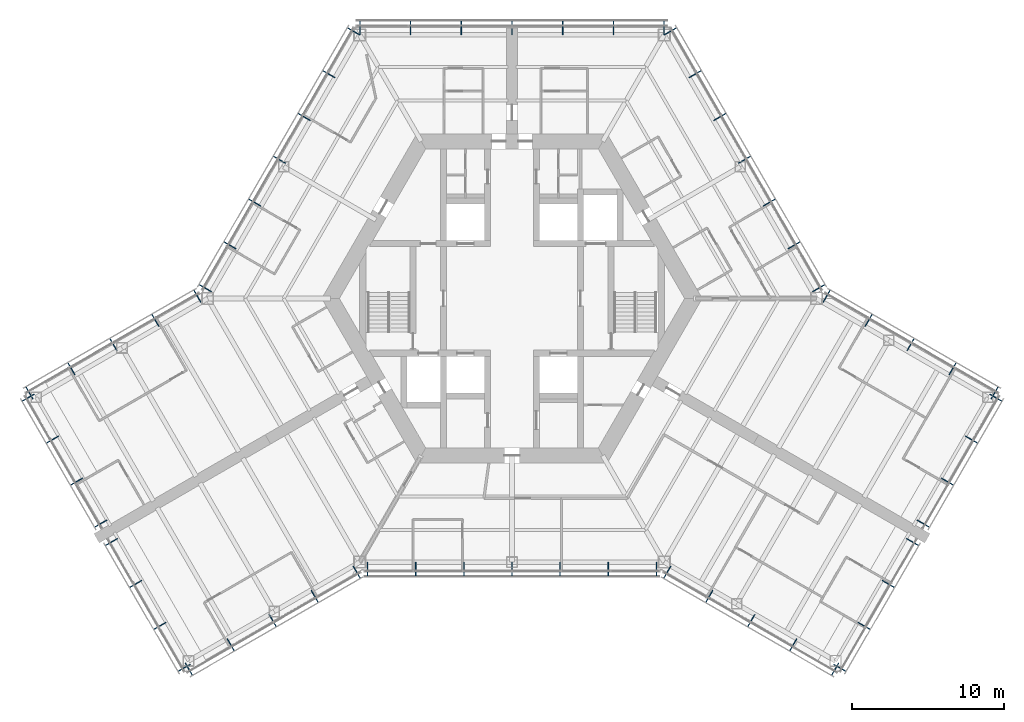
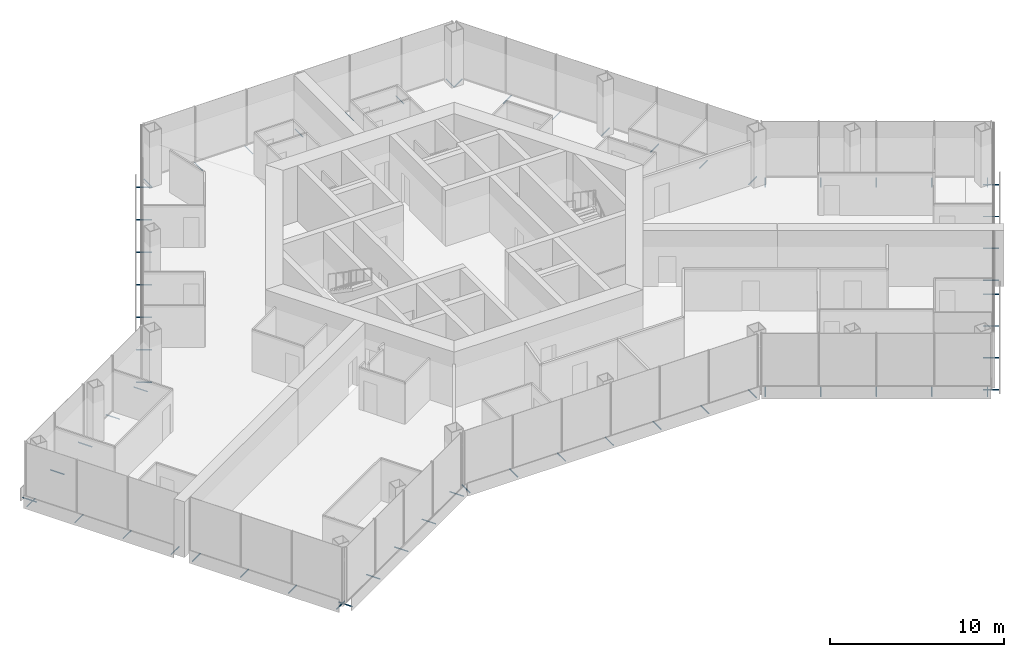
# One storey, part 16 of 18: 64 discrete accessories.
"""IFC4 building model written with IfcOpenShell, lengths in metres."""

from ifc_helpers import new_model, si_unit, direction, frame, origin, origin_2d, place, context, subcontext, project, spatial, hollow_circle, extrude, material, material_profile, profile_set, type_object, element, save


model = new_model("IFC4")

# Units and contexts
model_context = context("Model", 3, precision=1e-05, world=origin(), true_north=direction((0.0, 1.0)))
body_context = subcontext(model_context, "Body", "Model", "MODEL_VIEW")
ifc_project = project(units=[si_unit("LENGTHUNIT", "METRE"), si_unit("AREAUNIT", "SQUARE_METRE"), si_unit("VOLUMEUNIT", "CUBIC_METRE"), si_unit("PLANEANGLEUNIT", "RADIAN"), si_unit("MASSUNIT", "GRAM", prefix="KILO")], contexts=[model_context])

# Site, building, storey
site_placement = place(None, origin())
site = spatial("IfcSite", under=ifc_project, at=site_placement, CompositionType="ELEMENT")
building_placement = place(site_placement, origin())
building = spatial("IfcBuilding", under=site, at=building_placement, Name="Kasaneha Research Tower", CompositionType="ELEMENT")
storey_placement = place(building_placement, frame((0.0, 0.0, 168.199951171875)))
storey = spatial("IfcBuildingStorey", under=building, at=storey_placement, Name="L42", CompositionType="ELEMENT", Elevation=168.199951171875)

# Discrete accessories
ifc_material = material(Name="Steel STK400", Category="steel")
ifc_material_profile = material_profile(ifc_material, hollow_circle(Radius=0.0380859375, WallThickness=0.00390625, at=origin_2d()), Name="CHS-76.3x4.0")
ifc_profile_set = profile_set([ifc_material_profile], Name="Steel STK400")
discrete_accessory_type = type_object("IfcDiscreteAccessoryType", Name="Screen bracket CHS-76.3x4.0", PredefinedType="BRACKET", material=ifc_profile_set)
for number, where, z_axis, x_axis, name in (
    (1, (-9.4892578125, -17.320556640625, -0.300048828125), (0.0, -1.0, 0.0), (1.0, 0.0, 0.0), "Screen bracket 1"),
    (2, (-6.326171875, -17.320556640625, -0.300048828125), (0.0, -1.0, 0.0), (1.0, 0.0, 0.0), "Screen bracket 2"),
    (3, (-3.1630859375, -17.320556640625, -0.300048828125), (0.0, -1.0, 0.0), (1.0, 0.0, 0.0), "Screen bracket 3"),
    (4, (0.0, -17.320556640625, -0.300048828125), (0.0, -1.0, 0.0), (1.0, 0.0, 0.0), "Screen bracket 4"),
    (5, (3.1630859375, -17.320556640625, -0.300048828125), (0.0, -1.0, 0.0), (1.0, 0.0, 0.0), "Screen bracket 5"),
    (6, (6.326171875, -17.320556640625, -0.300048828125), (0.0, -1.0, 0.0), (1.0, 0.0, 0.0), "Screen bracket 6"),
    (7, (9.4892578125, -17.320556640625, -0.300048828125), (0.0, -1.0, 0.0), (1.0, 0.0, 0.0), "Screen bracket 7"),
    (8, (10.4423828125, -17.575927734375, -0.300048828125), (-0.500021113727, -0.866013213425, 0.0), (0.866013213425, -0.500021113727, 0.0), "Screen bracket 1"),
):
    element("IfcDiscreteAccessory", number, at=place(storey_placement, frame(where, z_axis=z_axis, x_axis=x_axis)), inside=storey, type_object=discrete_accessory_type, Name=name, PredefinedType="BRACKET", context=body_context, shape_type="SweptSolid", body=[
        extrude(hollow_circle(Radius=0.0380859375, WallThickness=0.00390625, at=origin_2d()), origin(), (0.0, 0.0, 1.0), 0.919921875),
    ])
discrete_accessory_1_placement = place(storey_placement, frame((13.200439453125, -19.168212890625, -0.300048828125), z_axis=(-0.499906209203, -0.866079547155, 0.0), x_axis=(0.866079547155, -0.499906209203, 0.0)))
element("IfcDiscreteAccessory", 9, at=discrete_accessory_1_placement, inside=storey, type_object=discrete_accessory_type, Name="Screen bracket 2", PredefinedType="BRACKET", context=body_context, shape_type="SweptSolid", body=[
    extrude(hollow_circle(Radius=0.0380859375, WallThickness=0.00390625, at=origin_2d()), origin(), (0.0, 0.0, 1.0), 0.920166015625),
])
discrete_accessory_2_placement = place(storey_placement, frame((15.95849609375, -20.7607421875, -0.300048828125), z_axis=(-0.500021113727, -0.866013213425, 0.0), x_axis=(0.866013213425, -0.500021113727, 0.0)))
element("IfcDiscreteAccessory", 10, at=discrete_accessory_2_placement, inside=storey, type_object=discrete_accessory_type, Name="Screen bracket 3", PredefinedType="BRACKET", context=body_context, shape_type="SweptSolid", body=[
    extrude(hollow_circle(Radius=0.0380859375, WallThickness=0.00390625, at=origin_2d()), origin(), (0.0, 0.0, 1.0), 0.919921875),
])
discrete_accessory_3_placement = place(storey_placement, frame((18.716796875, -22.35302734375, -0.300048828125), z_axis=(-0.500105201737, -0.865964657013, 0.0), x_axis=(0.865964657013, -0.500105201737, 0.0)))
element("IfcDiscreteAccessory", 11, at=discrete_accessory_3_placement, inside=storey, type_object=discrete_accessory_type, Name="Screen bracket 4", PredefinedType="BRACKET", context=body_context, shape_type="SweptSolid", body=[
    extrude(hollow_circle(Radius=0.0380859375, WallThickness=0.00390625, at=origin_2d()), origin(), (0.0, 0.0, 1.0), 0.920166015625),
])
discrete_accessory_4_placement = place(storey_placement, frame((21.474853515625, -23.945556640625, -0.300048828125), z_axis=(-0.500021113727, -0.866013213425, 0.0), x_axis=(0.866013213425, -0.500021113727, 0.0)))
element("IfcDiscreteAccessory", 12, at=discrete_accessory_4_placement, inside=storey, type_object=discrete_accessory_type, Name="Screen bracket 5", PredefinedType="BRACKET", context=body_context, shape_type="SweptSolid", body=[
    extrude(hollow_circle(Radius=0.0380859375, WallThickness=0.00390625, at=origin_2d()), origin(), (0.0, 0.0, 1.0), 0.919921875),
])
discrete_accessory_5_placement = place(storey_placement, frame((21.13330078125, -24.037109375, -0.300048828125), z_axis=(0.866079547155, -0.499906209203, 0.0), x_axis=(0.499906209203, 0.866079547155, 0.0)))
element("IfcDiscreteAccessory", 13, at=discrete_accessory_5_placement, inside=storey, type_object=discrete_accessory_type, Name="Screen bracket 1", PredefinedType="BRACKET", context=body_context, shape_type="SweptSolid", body=[
    extrude(hollow_circle(Radius=0.0380859375, WallThickness=0.00390625, at=origin_2d()), origin(), (0.0, 0.0, 1.0), 0.920166015625),
])
discrete_accessory_6_placement = place(storey_placement, frame((22.72509765625, -21.2802734375, -0.300048828125), z_axis=(0.866013213425, -0.500021113727, 0.0), x_axis=(0.500021113727, 0.866013213425, 0.0)))
element("IfcDiscreteAccessory", 14, at=discrete_accessory_6_placement, inside=storey, type_object=discrete_accessory_type, Name="Screen bracket 2", PredefinedType="BRACKET", context=body_context, shape_type="SweptSolid", body=[
    extrude(hollow_circle(Radius=0.0380859375, WallThickness=0.00390625, at=origin_2d()), origin(), (0.0, 0.0, 1.0), 0.919921875),
])
discrete_accessory_7_placement = place(storey_placement, frame((24.316650390625, -18.5234375, -0.300048828125), z_axis=(0.866079547155, -0.499906209203, 0.0), x_axis=(0.499906209203, 0.866079547155, 0.0)))
element("IfcDiscreteAccessory", 15, at=discrete_accessory_7_placement, inside=storey, type_object=discrete_accessory_type, Name="Screen bracket 3", PredefinedType="BRACKET", context=body_context, shape_type="SweptSolid", body=[
    extrude(hollow_circle(Radius=0.0380859375, WallThickness=0.00390625, at=origin_2d()), origin(), (0.0, 0.0, 1.0), 0.920166015625),
])
for number, where, z_axis, x_axis, name in (
    (16, (25.908447265625, -15.766357421875, -0.300048828125), (0.865898279276, -0.500220121494, 0.0), (0.500220121494, 0.865898279276, 0.0), "Screen bracket 4"),
    (17, (26.6083984375, -14.553955078125, -0.300048828125), (0.866013213425, -0.500021113727, 0.0), (0.500021113727, 0.866013213425, 0.0), "Screen bracket 1"),
):
    element("IfcDiscreteAccessory", number, at=place(storey_placement, frame(where, z_axis=z_axis, x_axis=x_axis)), inside=storey, type_object=discrete_accessory_type, Name=name, PredefinedType="BRACKET", context=body_context, shape_type="SweptSolid", body=[
        extrude(hollow_circle(Radius=0.0380859375, WallThickness=0.00390625, at=origin_2d()), origin(), (0.0, 0.0, 1.0), 0.919921875),
    ])
discrete_accessory_8_placement = place(storey_placement, frame((28.199951171875, -11.797119140625, -0.300048828125), z_axis=(0.866079547155, -0.499906209203, 0.0), x_axis=(0.499906209203, 0.866079547155, 0.0)))
element("IfcDiscreteAccessory", 18, at=discrete_accessory_8_placement, inside=storey, type_object=discrete_accessory_type, Name="Screen bracket 2", PredefinedType="BRACKET", context=body_context, shape_type="SweptSolid", body=[
    extrude(hollow_circle(Radius=0.0380859375, WallThickness=0.00390625, at=origin_2d()), origin(), (0.0, 0.0, 1.0), 0.920166015625),
])
discrete_accessory_9_placement = place(storey_placement, frame((29.791748046875, -9.040283203125, -0.300048828125), z_axis=(0.866013213425, -0.500021113727, 0.0), x_axis=(0.500021113727, 0.866013213425, 0.0)))
element("IfcDiscreteAccessory", 19, at=discrete_accessory_9_placement, inside=storey, type_object=discrete_accessory_type, Name="Screen bracket 3", PredefinedType="BRACKET", context=body_context, shape_type="SweptSolid", body=[
    extrude(hollow_circle(Radius=0.0380859375, WallThickness=0.00390625, at=origin_2d()), origin(), (0.0, 0.0, 1.0), 0.919921875),
])
discrete_accessory_10_placement = place(storey_placement, frame((31.38330078125, -6.283447265625, -0.300048828125), z_axis=(0.866079547155, -0.499906209203, 0.0), x_axis=(0.499906209203, 0.866079547155, 0.0)))
element("IfcDiscreteAccessory", 20, at=discrete_accessory_10_placement, inside=storey, type_object=discrete_accessory_type, Name="Screen bracket 4", PredefinedType="BRACKET", context=body_context, shape_type="SweptSolid", body=[
    extrude(hollow_circle(Radius=0.0380859375, WallThickness=0.00390625, at=origin_2d()), origin(), (0.0, 0.0, 1.0), 0.920166015625),
])
discrete_accessory_11_placement = place(storey_placement, frame((31.474853515625, -6.625, -0.300048828125), z_axis=(0.500021113727, 0.866013213425, 0.0), x_axis=(-0.866013213425, 0.500021113727, 0.0)))
element("IfcDiscreteAccessory", 21, at=discrete_accessory_11_placement, inside=storey, type_object=discrete_accessory_type, Name="Screen bracket 1", PredefinedType="BRACKET", context=body_context, shape_type="SweptSolid", body=[
    extrude(hollow_circle(Radius=0.0380859375, WallThickness=0.00390625, at=origin_2d()), origin(), (0.0, 0.0, 1.0), 0.919921875),
])
discrete_accessory_12_placement = place(storey_placement, frame((28.716796875, -5.03271484375, -0.300048828125), z_axis=(0.499906209203, 0.866079547155, 0.0), x_axis=(-0.866079547155, 0.499906209203, 0.0)))
element("IfcDiscreteAccessory", 22, at=discrete_accessory_12_placement, inside=storey, type_object=discrete_accessory_type, Name="Screen bracket 2", PredefinedType="BRACKET", context=body_context, shape_type="SweptSolid", body=[
    extrude(hollow_circle(Radius=0.0380859375, WallThickness=0.00390625, at=origin_2d()), origin(), (0.0, 0.0, 1.0), 0.920166015625),
])
discrete_accessory_13_placement = place(storey_placement, frame((25.95849609375, -3.440185546875, -0.300048828125), z_axis=(0.500220121494, 0.865898279276, 0.0), x_axis=(-0.865898279276, 0.500220121494, 0.0)))
element("IfcDiscreteAccessory", 23, at=discrete_accessory_13_placement, inside=storey, type_object=discrete_accessory_type, Name="Screen bracket 3", PredefinedType="BRACKET", context=body_context, shape_type="SweptSolid", body=[
    extrude(hollow_circle(Radius=0.0380859375, WallThickness=0.00390625, at=origin_2d()), origin(), (0.0, 0.0, 1.0), 0.919921875),
])
discrete_accessory_14_placement = place(storey_placement, frame((23.200439453125, -1.847900390625, -0.300048828125), z_axis=(0.499906209203, 0.866079547155, 0.0), x_axis=(-0.866079547155, 0.499906209203, 0.0)))
element("IfcDiscreteAccessory", 24, at=discrete_accessory_14_placement, inside=storey, type_object=discrete_accessory_type, Name="Screen bracket 4", PredefinedType="BRACKET", context=body_context, shape_type="SweptSolid", body=[
    extrude(hollow_circle(Radius=0.0380859375, WallThickness=0.00390625, at=origin_2d()), origin(), (0.0, 0.0, 1.0), 0.920166015625),
])
for number, where, z_axis, x_axis, name in (
    (25, (20.4423828125, -0.25537109375, -0.300048828125), (0.500021113727, 0.866013213425, 0.0), (-0.866013213425, 0.500021113727, 0.0), "Screen bracket 5"),
    (26, (19.74462890625, 0.4423828125, -0.300048828125), (0.866013213425, 0.500021113727, 0.0), (-0.500021113727, 0.866013213425, 0.0), "Screen bracket 1"),
    (27, (18.120849609375, 3.2548828125, -0.300048828125), (0.866013213425, 0.500021113727, 0.0), (-0.500021113727, 0.866013213425, 0.0), "Screen bracket 2"),
    (28, (16.4970703125, 6.0673828125, -0.300048828125), (0.866013213425, 0.500021113727, 0.0), (-0.500021113727, 0.866013213425, 0.0), "Screen bracket 3"),
    (29, (14.873291015625, 8.8798828125, -0.300048828125), (0.866013213425, 0.500021113727, 0.0), (-0.500021113727, 0.866013213425, 0.0), "Screen bracket 4"),
    (30, (13.24951171875, 11.6923828125, -0.300048828125), (0.866013213425, 0.500021113727, 0.0), (-0.500021113727, 0.866013213425, 0.0), "Screen bracket 5"),
):
    element("IfcDiscreteAccessory", number, at=place(storey_placement, frame(where, z_axis=z_axis, x_axis=x_axis)), inside=storey, type_object=discrete_accessory_type, Name=name, PredefinedType="BRACKET", context=body_context, shape_type="SweptSolid", body=[
        extrude(hollow_circle(Radius=0.0380859375, WallThickness=0.00390625, at=origin_2d()), origin(), (0.0, 0.0, 1.0), 0.919921875),
    ])
for number, where, z_axis, x_axis, name in (
    (31, (11.62548828125, 14.5048828125, -0.300048828125), (0.866079547155, 0.499906209203, 0.0), (-0.499906209203, 0.866079547155, 0.0), "Screen bracket 6"),
    (32, (10.001708984375, 17.3173828125, -0.300048828125), (0.866079547155, 0.499906209203, 0.0), (-0.499906209203, 0.866079547155, 0.0), "Screen bracket 7"),
):
    element("IfcDiscreteAccessory", number, at=place(storey_placement, frame(where, z_axis=z_axis, x_axis=x_axis)), inside=storey, type_object=discrete_accessory_type, Name=name, PredefinedType="BRACKET", context=body_context, shape_type="SweptSolid", body=[
        extrude(hollow_circle(Radius=0.0380859375, WallThickness=0.00390625, at=origin_2d()), origin(), (0.0, 0.0, 1.0), 0.920166015625),
    ])
for number, where, z_axis, x_axis, name in (
    (33, (9.996337890625, 17.320556640625, -0.300048828125), (0.0, 1.0, 0.0), (-1.0, 0.0, 0.0), "Screen bracket 1"),
    (34, (6.664306640625, 17.320556640625, -0.300048828125), (0.0, 1.0, 0.0), (-1.0, 0.0, 0.0), "Screen bracket 2"),
    (35, (3.33203125, 17.320556640625, -0.300048828125), (0.0, 1.0, 0.0), (-1.0, 0.0, 0.0), "Screen bracket 3"),
    (36, (0.0, 17.320556640625, -0.300048828125), (0.0, 1.0, 0.0), (-1.0, 0.0, 0.0), "Screen bracket 4"),
    (37, (-3.33203125, 17.320556640625, -0.300048828125), (0.0, 1.0, 0.0), (-1.0, 0.0, 0.0), "Screen bracket 5"),
    (38, (-6.664306640625, 17.320556640625, -0.300048828125), (0.0, 1.0, 0.0), (-1.0, 0.0, 0.0), "Screen bracket 6"),
    (39, (-9.996337890625, 17.320556640625, -0.300048828125), (0.0, 1.0, 0.0), (-1.0, 0.0, 0.0), "Screen bracket 7"),
):
    element("IfcDiscreteAccessory", number, at=place(storey_placement, frame(where, z_axis=z_axis, x_axis=x_axis)), inside=storey, type_object=discrete_accessory_type, Name=name, PredefinedType="BRACKET", context=body_context, shape_type="SweptSolid", body=[
        extrude(hollow_circle(Radius=0.0380859375, WallThickness=0.00390625, at=origin_2d()), origin(), (0.0, 0.0, 1.0), 0.919921875),
    ])
for number, where, z_axis, x_axis, name in (
    (40, (-10.001708984375, 17.3173828125, -0.300048828125), (-0.866079547155, 0.499906209203, 0.0), (-0.499906209203, -0.866079547155, 0.0), "Screen bracket 1"),
    (41, (-11.62548828125, 14.5048828125, -0.300048828125), (-0.866079547155, 0.499906209203, 0.0), (-0.499906209203, -0.866079547155, 0.0), "Screen bracket 2"),
):
    element("IfcDiscreteAccessory", number, at=place(storey_placement, frame(where, z_axis=z_axis, x_axis=x_axis)), inside=storey, type_object=discrete_accessory_type, Name=name, PredefinedType="BRACKET", context=body_context, shape_type="SweptSolid", body=[
        extrude(hollow_circle(Radius=0.0380859375, WallThickness=0.00390625, at=origin_2d()), origin(), (0.0, 0.0, 1.0), 0.920166015625),
    ])
for number, where, z_axis, x_axis, name in (
    (42, (-13.24951171875, 11.6923828125, -0.300048828125), (-0.866013213425, 0.500021113727, 0.0), (-0.500021113727, -0.866013213425, 0.0), "Screen bracket 3"),
    (43, (-14.873291015625, 8.8798828125, -0.300048828125), (-0.866013213425, 0.500021113727, 0.0), (-0.500021113727, -0.866013213425, 0.0), "Screen bracket 4"),
    (44, (-16.4970703125, 6.0673828125, -0.300048828125), (-0.866013213425, 0.500021113727, 0.0), (-0.500021113727, -0.866013213425, 0.0), "Screen bracket 5"),
    (45, (-18.120849609375, 3.2548828125, -0.300048828125), (-0.866013213425, 0.500021113727, 0.0), (-0.500021113727, -0.866013213425, 0.0), "Screen bracket 6"),
    (46, (-19.74462890625, 0.4423828125, -0.300048828125), (-0.866013213425, 0.500021113727, 0.0), (-0.500021113727, -0.866013213425, 0.0), "Screen bracket 7"),
    (47, (-20.4423828125, -0.25537109375, -0.300048828125), (-0.500021113727, 0.866013213425, 0.0), (-0.866013213425, -0.500021113727, 0.0), "Screen bracket 1"),
):
    element("IfcDiscreteAccessory", number, at=place(storey_placement, frame(where, z_axis=z_axis, x_axis=x_axis)), inside=storey, type_object=discrete_accessory_type, Name=name, PredefinedType="BRACKET", context=body_context, shape_type="SweptSolid", body=[
        extrude(hollow_circle(Radius=0.0380859375, WallThickness=0.00390625, at=origin_2d()), origin(), (0.0, 0.0, 1.0), 0.919921875),
    ])
discrete_accessory_15_placement = place(storey_placement, frame((-23.200439453125, -1.847900390625, -0.300048828125), z_axis=(-0.499906209203, 0.866079547155, 0.0), x_axis=(-0.866079547155, -0.499906209203, 0.0)))
element("IfcDiscreteAccessory", 48, at=discrete_accessory_15_placement, inside=storey, type_object=discrete_accessory_type, Name="Screen bracket 2", PredefinedType="BRACKET", context=body_context, shape_type="SweptSolid", body=[
    extrude(hollow_circle(Radius=0.0380859375, WallThickness=0.00390625, at=origin_2d()), origin(), (0.0, 0.0, 1.0), 0.920166015625),
])
discrete_accessory_16_placement = place(storey_placement, frame((-25.95849609375, -3.440185546875, -0.300048828125), z_axis=(-0.500220121494, 0.865898279276, 0.0), x_axis=(-0.865898279276, -0.500220121494, 0.0)))
element("IfcDiscreteAccessory", 49, at=discrete_accessory_16_placement, inside=storey, type_object=discrete_accessory_type, Name="Screen bracket 3", PredefinedType="BRACKET", context=body_context, shape_type="SweptSolid", body=[
    extrude(hollow_circle(Radius=0.0380859375, WallThickness=0.00390625, at=origin_2d()), origin(), (0.0, 0.0, 1.0), 0.919921875),
])
discrete_accessory_17_placement = place(storey_placement, frame((-28.716796875, -5.03271484375, -0.300048828125), z_axis=(-0.499906209203, 0.866079547155, 0.0), x_axis=(-0.866079547155, -0.499906209203, 0.0)))
element("IfcDiscreteAccessory", 50, at=discrete_accessory_17_placement, inside=storey, type_object=discrete_accessory_type, Name="Screen bracket 4", PredefinedType="BRACKET", context=body_context, shape_type="SweptSolid", body=[
    extrude(hollow_circle(Radius=0.0380859375, WallThickness=0.00390625, at=origin_2d()), origin(), (0.0, 0.0, 1.0), 0.920166015625),
])
discrete_accessory_18_placement = place(storey_placement, frame((-31.474853515625, -6.625, -0.300048828125), z_axis=(-0.500021113727, 0.866013213425, 0.0), x_axis=(-0.866013213425, -0.500021113727, 0.0)))
element("IfcDiscreteAccessory", 51, at=discrete_accessory_18_placement, inside=storey, type_object=discrete_accessory_type, Name="Screen bracket 5", PredefinedType="BRACKET", context=body_context, shape_type="SweptSolid", body=[
    extrude(hollow_circle(Radius=0.0380859375, WallThickness=0.00390625, at=origin_2d()), origin(), (0.0, 0.0, 1.0), 0.919921875),
])
discrete_accessory_19_placement = place(storey_placement, frame((-31.38330078125, -6.283447265625, -0.300048828125), z_axis=(-0.866079547155, -0.499906209203, 0.0), x_axis=(0.499906209203, -0.866079547155, 0.0)))
element("IfcDiscreteAccessory", 52, at=discrete_accessory_19_placement, inside=storey, type_object=discrete_accessory_type, Name="Screen bracket 1", PredefinedType="BRACKET", context=body_context, shape_type="SweptSolid", body=[
    extrude(hollow_circle(Radius=0.0380859375, WallThickness=0.00390625, at=origin_2d()), origin(), (0.0, 0.0, 1.0), 0.920166015625),
])
discrete_accessory_20_placement = place(storey_placement, frame((-29.791748046875, -9.040283203125, -0.300048828125), z_axis=(-0.866013213425, -0.500021113727, 0.0), x_axis=(0.500021113727, -0.866013213425, 0.0)))
element("IfcDiscreteAccessory", 53, at=discrete_accessory_20_placement, inside=storey, type_object=discrete_accessory_type, Name="Screen bracket 2", PredefinedType="BRACKET", context=body_context, shape_type="SweptSolid", body=[
    extrude(hollow_circle(Radius=0.0380859375, WallThickness=0.00390625, at=origin_2d()), origin(), (0.0, 0.0, 1.0), 0.919921875),
])
discrete_accessory_21_placement = place(storey_placement, frame((-28.199951171875, -11.797119140625, -0.300048828125), z_axis=(-0.866079547155, -0.499906209203, 0.0), x_axis=(0.499906209203, -0.866079547155, 0.0)))
element("IfcDiscreteAccessory", 54, at=discrete_accessory_21_placement, inside=storey, type_object=discrete_accessory_type, Name="Screen bracket 3", PredefinedType="BRACKET", context=body_context, shape_type="SweptSolid", body=[
    extrude(hollow_circle(Radius=0.0380859375, WallThickness=0.00390625, at=origin_2d()), origin(), (0.0, 0.0, 1.0), 0.920166015625),
])
for number, where, z_axis, x_axis, name in (
    (55, (-26.6083984375, -14.553955078125, -0.300048828125), (-0.866013213425, -0.500021113727, 0.0), (0.500021113727, -0.866013213425, 0.0), "Screen bracket 4"),
    (56, (-25.908447265625, -15.766357421875, -0.300048828125), (-0.865898279276, -0.500220121494, 0.0), (0.500220121494, -0.865898279276, 0.0), "Screen bracket 1"),
):
    element("IfcDiscreteAccessory", number, at=place(storey_placement, frame(where, z_axis=z_axis, x_axis=x_axis)), inside=storey, type_object=discrete_accessory_type, Name=name, PredefinedType="BRACKET", context=body_context, shape_type="SweptSolid", body=[
        extrude(hollow_circle(Radius=0.0380859375, WallThickness=0.00390625, at=origin_2d()), origin(), (0.0, 0.0, 1.0), 0.919921875),
    ])
discrete_accessory_22_placement = place(storey_placement, frame((-24.316650390625, -18.5234375, -0.300048828125), z_axis=(-0.866079547155, -0.499906209203, 0.0), x_axis=(0.499906209203, -0.866079547155, 0.0)))
element("IfcDiscreteAccessory", 57, at=discrete_accessory_22_placement, inside=storey, type_object=discrete_accessory_type, Name="Screen bracket 2", PredefinedType="BRACKET", context=body_context, shape_type="SweptSolid", body=[
    extrude(hollow_circle(Radius=0.0380859375, WallThickness=0.00390625, at=origin_2d()), origin(), (0.0, 0.0, 1.0), 0.920166015625),
])
discrete_accessory_23_placement = place(storey_placement, frame((-22.72509765625, -21.2802734375, -0.300048828125), z_axis=(-0.866013213425, -0.500021113727, 0.0), x_axis=(0.500021113727, -0.866013213425, 0.0)))
element("IfcDiscreteAccessory", 58, at=discrete_accessory_23_placement, inside=storey, type_object=discrete_accessory_type, Name="Screen bracket 3", PredefinedType="BRACKET", context=body_context, shape_type="SweptSolid", body=[
    extrude(hollow_circle(Radius=0.0380859375, WallThickness=0.00390625, at=origin_2d()), origin(), (0.0, 0.0, 1.0), 0.919921875),
])
discrete_accessory_24_placement = place(storey_placement, frame((-21.13330078125, -24.037109375, -0.300048828125), z_axis=(-0.866079547155, -0.499906209203, 0.0), x_axis=(0.499906209203, -0.866079547155, 0.0)))
element("IfcDiscreteAccessory", 59, at=discrete_accessory_24_placement, inside=storey, type_object=discrete_accessory_type, Name="Screen bracket 4", PredefinedType="BRACKET", context=body_context, shape_type="SweptSolid", body=[
    extrude(hollow_circle(Radius=0.0380859375, WallThickness=0.00390625, at=origin_2d()), origin(), (0.0, 0.0, 1.0), 0.920166015625),
])
discrete_accessory_25_placement = place(storey_placement, frame((-21.474853515625, -23.945556640625, -0.300048828125), z_axis=(0.500021113727, -0.866013213425, 0.0), x_axis=(0.866013213425, 0.500021113727, 0.0)))
element("IfcDiscreteAccessory", 60, at=discrete_accessory_25_placement, inside=storey, type_object=discrete_accessory_type, Name="Screen bracket 1", PredefinedType="BRACKET", context=body_context, shape_type="SweptSolid", body=[
    extrude(hollow_circle(Radius=0.0380859375, WallThickness=0.00390625, at=origin_2d()), origin(), (0.0, 0.0, 1.0), 0.919921875),
])
discrete_accessory_26_placement = place(storey_placement, frame((-18.716796875, -22.35302734375, -0.300048828125), z_axis=(0.500105201737, -0.865964657013, 0.0), x_axis=(0.865964657013, 0.500105201737, 0.0)))
element("IfcDiscreteAccessory", 61, at=discrete_accessory_26_placement, inside=storey, type_object=discrete_accessory_type, Name="Screen bracket 2", PredefinedType="BRACKET", context=body_context, shape_type="SweptSolid", body=[
    extrude(hollow_circle(Radius=0.0380859375, WallThickness=0.00390625, at=origin_2d()), origin(), (0.0, 0.0, 1.0), 0.920166015625),
])
discrete_accessory_27_placement = place(storey_placement, frame((-15.95849609375, -20.7607421875, -0.300048828125), z_axis=(0.500021113727, -0.866013213425, 0.0), x_axis=(0.866013213425, 0.500021113727, 0.0)))
element("IfcDiscreteAccessory", 62, at=discrete_accessory_27_placement, inside=storey, type_object=discrete_accessory_type, Name="Screen bracket 3", PredefinedType="BRACKET", context=body_context, shape_type="SweptSolid", body=[
    extrude(hollow_circle(Radius=0.0380859375, WallThickness=0.00390625, at=origin_2d()), origin(), (0.0, 0.0, 1.0), 0.919921875),
])
discrete_accessory_28_placement = place(storey_placement, frame((-13.200439453125, -19.168212890625, -0.300048828125), z_axis=(0.499906209203, -0.866079547155, 0.0), x_axis=(0.866079547155, 0.499906209203, 0.0)))
element("IfcDiscreteAccessory", 63, at=discrete_accessory_28_placement, inside=storey, type_object=discrete_accessory_type, Name="Screen bracket 4", PredefinedType="BRACKET", context=body_context, shape_type="SweptSolid", body=[
    extrude(hollow_circle(Radius=0.0380859375, WallThickness=0.00390625, at=origin_2d()), origin(), (0.0, 0.0, 1.0), 0.920166015625),
])
discrete_accessory_29_placement = place(storey_placement, frame((-10.4423828125, -17.575927734375, -0.300048828125), z_axis=(0.500021113727, -0.866013213425, 0.0), x_axis=(0.866013213425, 0.500021113727, 0.0)))
element("IfcDiscreteAccessory", 64, at=discrete_accessory_29_placement, inside=storey, type_object=discrete_accessory_type, Name="Screen bracket 5", PredefinedType="BRACKET", context=body_context, shape_type="SweptSolid", body=[
    extrude(hollow_circle(Radius=0.0380859375, WallThickness=0.00390625, at=origin_2d()), origin(), (0.0, 0.0, 1.0), 0.919921875),
])

save(model, "model.ifc")
